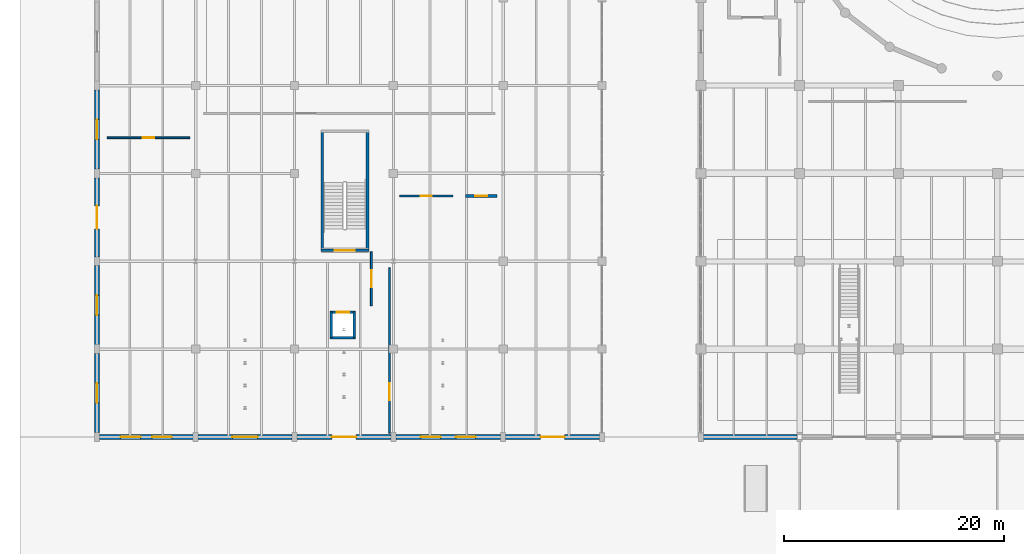
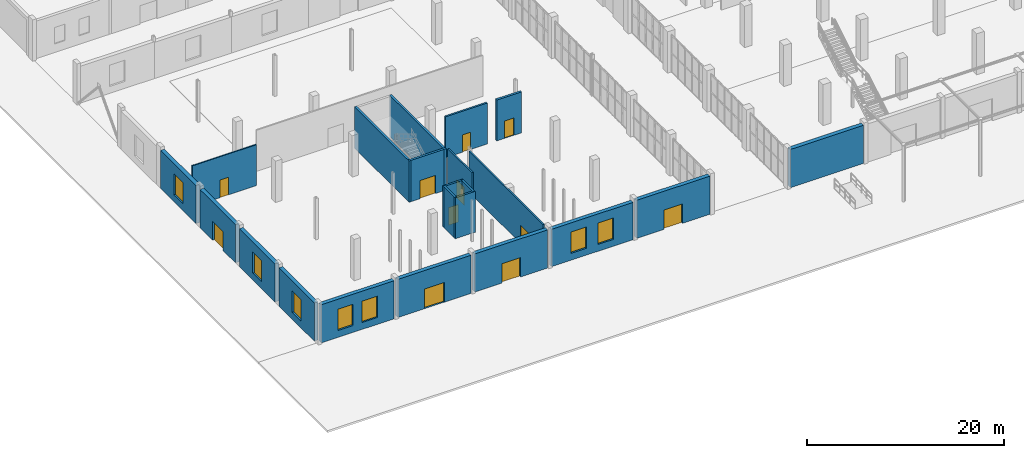
# One storey, part 81 of 103: 22 walls, 11 doors, 7 windows, 18 openings.
"""IFC4 building model written with IfcOpenShell, lengths in metres."""

from ifc_helpers import new_model, si_unit, direction, frame, frame_2d, origin, place, context, subcontext, project, spatial, rectangle, extrude, material, layer, layer_set, type_object, element, fill, save


model = new_model("IFC4")

# Units and contexts
model_context = context("Model", 3, precision=1e-05, world=origin(), true_north=direction((0.0, 1.0)))
body_context = subcontext(model_context, "Body", "Model", "MODEL_VIEW")
ifc_project = project(units=[si_unit("LENGTHUNIT", "METRE"), si_unit("AREAUNIT", "SQUARE_METRE"), si_unit("VOLUMEUNIT", "CUBIC_METRE"), si_unit("PLANEANGLEUNIT", "RADIAN"), si_unit("MASSUNIT", "GRAM", prefix="KILO")], contexts=[model_context])

# Site, building, storey
site_placement = place(None, origin())
site = spatial("IfcSite", under=ifc_project, at=site_placement, CompositionType="ELEMENT")
building_placement = place(site_placement, origin())
building = spatial("IfcBuilding", under=site, at=building_placement, Name="Marnock Terrace Opera House", CompositionType="ELEMENT")
storey_placement = place(building_placement, origin())
storey = spatial("IfcBuildingStorey", under=building, at=storey_placement, Name="L00", CompositionType="ELEMENT", Elevation=0.0)

# Wall, openings, windows
ifc_material_1 = material(Name="Carey Gully rusticated stone masonry", Category="masonry")
ifc_layer_1 = layer(ifc_material_1, 0.455078125)
ifc_layer_set_1 = layer_set([ifc_layer_1], Name="Carey Gully rusticated stone masonry")
wall_type_1 = type_object("IfcWallType", Name="EW-BASE-455", PredefinedType="SOLIDWALL", material=ifc_layer_set_1)
wall_1_placement = place(storey_placement, frame((0.220947265625, 8.0, 0.0), z_axis=(0.0, 0.0, 1.0), x_axis=(1.0, 0.0, 0.0)))
wall_1 = element("IfcWall", 1, at=wall_1_placement, inside=storey, type_object=wall_type_1, Name="L00 Volume 3 south sandstone wall 1", PredefinedType="SOLIDWALL", context=body_context, shape_type="SweptSolid", body=[
    extrude(rectangle(XDim=8.55810546875, YDim=0.455078125, at=frame_2d((4.279052734375, 0.0))), origin(), (0.0, 0.0, 1.0), 4.7314453125),
])
opening_1_placement = place(wall_1_placement, frame((1.95263671875, 0.0, 0.85009765625)))
opening_1 = element("IfcOpeningElement", 2, at=opening_1_placement, cuts=wall_1, Name="Opening WT-30", PredefinedType="OPENING", context=body_context, shape_type="SweptSolid", body=[
    extrude(rectangle(XDim=1.800048828125, YDim=2.64990234375, at=frame_2d((0.89990234375, 1.324951171875))), frame((0.0, 0.237548828125, 0.0), z_axis=(0.0, -1.0, 0.0), x_axis=(1.0, 0.0, 0.0)), (0.0, 0.0, 1.0), 0.47509765625),
])
opening_2_placement = place(wall_1_placement, frame((4.805419921875, 0.0, 0.85009765625)))
opening_2 = element("IfcOpeningElement", 3, at=opening_2_placement, cuts=wall_1, Name="Opening WT-30", PredefinedType="OPENING", context=body_context, shape_type="SweptSolid", body=[
    extrude(rectangle(XDim=1.800048828125, YDim=2.64990234375, at=frame_2d((0.89990234375, 1.324951171875))), frame((0.0, 0.237548828125, 0.0), z_axis=(0.0, -1.0, 0.0), x_axis=(1.0, 0.0, 0.0)), (0.0, 0.0, 1.0), 0.47509765625),
])
ifc_material_2 = material(Name="Double-glazed acoustic low-E laminated glass", Category="glass")
window_type = type_object("IfcWindowType", Name="WT-PIER-1800", PartitioningType="DOUBLE_PANEL_VERTICAL", PredefinedType="WINDOW", material=ifc_material_2)
window_1_placement = place(opening_1_placement, origin())
window_1 = element("IfcWindow", 4, at=window_1_placement, inside=storey, type_object=window_type, Name="L00 facade window EW-V3S-L00-1.1", OverallHeight=2.64990234375, OverallWidth=1.800048828125, PartitioningType="SINGLE_PANEL", PredefinedType="WINDOW", context=body_context, shape_type="SweptSolid", body=[
    extrude(rectangle(XDim=1.800048828125, YDim=2.64990234375, at=frame_2d((0.89990234375, 1.324951171875))), frame((0.0, 0.030029296875, 0.0), z_axis=(0.0, -1.0, 0.0), x_axis=(1.0, 0.0, 0.0)), (0.0, 0.0, 1.0), 0.06005859375),
])
fill(opening_1, window_1)
window_2_placement = place(opening_2_placement, origin())
window_2 = element("IfcWindow", 5, at=window_2_placement, inside=storey, type_object=window_type, Name="L00 facade window EW-V3S-L00-1.2", OverallHeight=2.64990234375, OverallWidth=1.800048828125, PartitioningType="SINGLE_PANEL", PredefinedType="WINDOW", context=body_context, shape_type="SweptSolid", body=[
    extrude(rectangle(XDim=1.800048828125, YDim=2.64990234375, at=frame_2d((0.89990234375, 1.324951171875))), frame((0.0, 0.030029296875, 0.0), z_axis=(0.0, -1.0, 0.0), x_axis=(1.0, 0.0, 0.0)), (0.0, 0.0, 1.0), 0.06005859375),
])
fill(opening_2, window_2)

# Wall, opening, door
wall_2_placement = place(storey_placement, frame((17.779052734375, 8.0, 0.0), z_axis=(0.0, 0.0, 1.0), x_axis=(-1.0, 0.0, 0.0)))
wall_2 = element("IfcWall", 6, at=wall_2_placement, inside=storey, type_object=wall_type_1, Name="L00 Volume 3 south sandstone wall 2", PredefinedType="SOLIDWALL", context=body_context, shape_type="SweptSolid", body=[
    extrude(rectangle(XDim=8.55810546875, YDim=0.455078125, at=frame_2d((4.279052734375, 0.0))), origin(), (0.0, 0.0, 1.0), 4.7314453125),
])
opening_3_placement = place(wall_2_placement, frame((3.12890625, 0.0, 0.0)))
opening_3 = element("IfcOpeningElement", 7, at=opening_3_placement, cuts=wall_2, Name="Opening ED-05", PredefinedType="OPENING", context=body_context, shape_type="SweptSolid", body=[
    extrude(rectangle(XDim=2.300048828125, YDim=2.449951171875, at=frame_2d((1.14990234375, 1.22509765625))), frame((0.0, 0.237548828125, 0.0), z_axis=(0.0, -1.0, 0.0), x_axis=(1.0, 0.0, 0.0)), (0.0, 0.0, 1.0), 0.47509765625),
])
ifc_material_3 = material(Name="Anodised architectural bronze aluminium framing", Category="aluminium")
door_type_1 = type_object("IfcDoorType", Name="DT-EXIT-2300", OperationType="NOTDEFINED", PredefinedType="DOOR", material=ifc_material_3)
door_1_placement = place(opening_3_placement, origin())
door_1 = element("IfcDoor", 8, at=door_1_placement, inside=storey, type_object=door_type_1, Name="Exterior door ED-05", OperationType="DOUBLE_DOOR_SINGLE_SWING", OverallHeight=2.449951171875, OverallWidth=2.300048828125, PredefinedType="DOOR", context=body_context, shape_type="SweptSolid", body=[
    extrude(rectangle(XDim=2.300048828125, YDim=2.449951171875, at=frame_2d((1.14990234375, 1.22509765625))), frame((0.0, 0.02490234375, 0.0), z_axis=(0.0, -1.0, 0.0), x_axis=(1.0, 0.0, 0.0)), (0.0, 0.0, 1.0), 0.050048828125),
])
fill(opening_3, door_1)

wall_3_placement = place(storey_placement, frame((26.779052734375, 8.0, 0.0), z_axis=(0.0, 0.0, 1.0), x_axis=(-1.0, 0.0, 0.0)))
wall_3 = element("IfcWall", 9, at=wall_3_placement, inside=storey, type_object=wall_type_1, Name="L00 Volume 3 south sandstone wall 3", PredefinedType="SOLIDWALL", context=body_context, shape_type="SweptSolid", body=[
    extrude(rectangle(XDim=8.55810546875, YDim=0.455078125, at=frame_2d((4.279052734375, 0.0))), origin(), (0.0, 0.0, 1.0), 4.7314453125),
])
opening_4_placement = place(wall_3_placement, frame((3.178955078125, 0.0, 0.0)))
opening_4 = element("IfcOpeningElement", 10, at=opening_4_placement, cuts=wall_3, Name="Opening ED-19", PredefinedType="OPENING", context=body_context, shape_type="SweptSolid", body=[
    extrude(rectangle(XDim=2.199951171875, YDim=2.39990234375, at=frame_2d((1.10009765625, 1.199951171875))), frame((0.0, 0.237548828125, 0.0), z_axis=(0.0, -1.0, 0.0), x_axis=(1.0, 0.0, 0.0)), (0.0, 0.0, 1.0), 0.47509765625),
])
door_type_2 = type_object("IfcDoorType", Name="DT-EXIT-2200", OperationType="NOTDEFINED", PredefinedType="DOOR", material=ifc_material_3)
door_2_placement = place(opening_4_placement, origin())
door_2 = element("IfcDoor", 11, at=door_2_placement, inside=storey, type_object=door_type_2, Name="Exterior door ED-19", OperationType="DOUBLE_DOOR_SINGLE_SWING", OverallHeight=2.39990234375, OverallWidth=2.199951171875, PredefinedType="DOOR", context=body_context, shape_type="SweptSolid", body=[
    extrude(rectangle(XDim=2.199951171875, YDim=2.39990234375, at=frame_2d((1.10009765625, 1.199951171875))), frame((0.0, 0.02490234375, 0.0), z_axis=(0.0, -1.0, 0.0), x_axis=(1.0, 0.0, 0.0)), (0.0, 0.0, 1.0), 0.050048828125),
])
fill(opening_4, door_2)

# Wall, openings, windows
wall_4_placement = place(storey_placement, frame((27.220947265625, 8.0, 0.0), z_axis=(0.0, 0.0, 1.0), x_axis=(1.0, 0.0, 0.0)))
wall_4 = element("IfcWall", 12, at=wall_4_placement, inside=storey, type_object=wall_type_1, Name="L00 Volume 3 south sandstone wall 4", PredefinedType="SOLIDWALL", context=body_context, shape_type="SweptSolid", body=[
    extrude(rectangle(XDim=9.55810546875, YDim=0.455078125, at=frame_2d((4.779052734375, 0.0))), origin(), (0.0, 0.0, 1.0), 4.629638671875),
])
opening_5_placement = place(wall_4_placement, frame((2.285888671875, 0.0, 0.85009765625)))
opening_5 = element("IfcOpeningElement", 13, at=opening_5_placement, cuts=wall_4, Name="Opening WT-30", PredefinedType="OPENING", context=body_context, shape_type="SweptSolid", body=[
    extrude(rectangle(XDim=1.800048828125, YDim=2.64990234375, at=frame_2d((0.89990234375, 1.324951171875))), frame((0.0, 0.237548828125, 0.0), z_axis=(0.0, -1.0, 0.0), x_axis=(1.0, 0.0, 0.0)), (0.0, 0.0, 1.0), 0.47509765625),
])
opening_6_placement = place(wall_4_placement, frame((5.471923828125, 0.0, 0.85009765625)))
opening_6 = element("IfcOpeningElement", 14, at=opening_6_placement, cuts=wall_4, Name="Opening WT-30", PredefinedType="OPENING", context=body_context, shape_type="SweptSolid", body=[
    extrude(rectangle(XDim=1.800048828125, YDim=2.64990234375, at=frame_2d((0.89990234375, 1.324951171875))), frame((0.0, 0.237548828125, 0.0), z_axis=(0.0, -1.0, 0.0), x_axis=(1.0, 0.0, 0.0)), (0.0, 0.0, 1.0), 0.47509765625),
])
window_3_placement = place(opening_5_placement, origin())
window_3 = element("IfcWindow", 15, at=window_3_placement, inside=storey, type_object=window_type, Name="L00 facade window EW-V3S-L00-4.1", OverallHeight=2.64990234375, OverallWidth=1.800048828125, PartitioningType="SINGLE_PANEL", PredefinedType="WINDOW", context=body_context, shape_type="SweptSolid", body=[
    extrude(rectangle(XDim=1.800048828125, YDim=2.64990234375, at=frame_2d((0.89990234375, 1.324951171875))), frame((0.0, 0.030029296875, 0.0), z_axis=(0.0, -1.0, 0.0), x_axis=(1.0, 0.0, 0.0)), (0.0, 0.0, 1.0), 0.06005859375),
])
fill(opening_5, window_3)
window_4_placement = place(opening_6_placement, origin())
window_4 = element("IfcWindow", 16, at=window_4_placement, inside=storey, type_object=window_type, Name="L00 facade window EW-V3S-L00-4.2", OverallHeight=2.64990234375, OverallWidth=1.800048828125, PartitioningType="SINGLE_PANEL", PredefinedType="WINDOW", context=body_context, shape_type="SweptSolid", body=[
    extrude(rectangle(XDim=1.800048828125, YDim=2.64990234375, at=frame_2d((0.89990234375, 1.324951171875))), frame((0.0, 0.030029296875, 0.0), z_axis=(0.0, -1.0, 0.0), x_axis=(1.0, 0.0, 0.0)), (0.0, 0.0, 1.0), 0.06005859375),
])
fill(opening_6, window_4)

# Wall, opening, door
wall_5_placement = place(storey_placement, frame((45.779052734375, 8.0, 0.0), z_axis=(0.0, 0.0, 1.0), x_axis=(-1.0, 0.0, 0.0)))
wall_5 = element("IfcWall", 17, at=wall_5_placement, inside=storey, type_object=wall_type_1, Name="L00 Volume 3 south sandstone wall 5", PredefinedType="SOLIDWALL", context=body_context, shape_type="SweptSolid", body=[
    extrude(rectangle(XDim=8.55810546875, YDim=0.455078125, at=frame_2d((4.279052734375, 0.0))), origin(), (0.0, 0.0, 1.0), 4.7314453125),
])
opening_7_placement = place(wall_5_placement, frame((3.178955078125, 0.0, 0.0)))
opening_7 = element("IfcOpeningElement", 18, at=opening_7_placement, cuts=wall_5, Name="Opening ED-06", PredefinedType="OPENING", context=body_context, shape_type="SweptSolid", body=[
    extrude(rectangle(XDim=2.199951171875, YDim=2.39990234375, at=frame_2d((1.10009765625, 1.199951171875))), frame((0.0, 0.237548828125, 0.0), z_axis=(0.0, -1.0, 0.0), x_axis=(1.0, 0.0, 0.0)), (0.0, 0.0, 1.0), 0.47509765625),
])
door_3_placement = place(opening_7_placement, origin())
door_3 = element("IfcDoor", 19, at=door_3_placement, inside=storey, type_object=door_type_2, Name="Exterior door ED-06", OperationType="DOUBLE_DOOR_SINGLE_SWING", OverallHeight=2.39990234375, OverallWidth=2.199951171875, PredefinedType="DOOR", context=body_context, shape_type="SweptSolid", body=[
    extrude(rectangle(XDim=2.199951171875, YDim=2.39990234375, at=frame_2d((1.10009765625, 1.199951171875))), frame((0.0, 0.02490234375, 0.0), z_axis=(0.0, -1.0, 0.0), x_axis=(1.0, 0.0, 0.0)), (0.0, 0.0, 1.0), 0.050048828125),
])
fill(opening_7, door_3)

# Wall, opening, window
wall_6_placement = place(storey_placement, frame((0.0, 8.39599609375, 0.0), z_axis=(0.0, 0.0, 1.0), x_axis=(0.0, 1.0, 0.0)))
wall_6 = element("IfcWall", 20, at=wall_6_placement, inside=storey, type_object=wall_type_1, Name="L00 Volume 3 west sandstone wall 1", PredefinedType="SOLIDWALL", context=body_context, shape_type="SweptSolid", body=[
    extrude(rectangle(XDim=7.2080078125, YDim=0.455078125, at=frame_2d((3.60400390625, 0.0))), origin(), (0.0, 0.0, 1.0), 4.7314453125),
])
opening_8_placement = place(wall_6_placement, frame((2.7041015625, 0.0, 0.85009765625)))
opening_8 = element("IfcOpeningElement", 21, at=opening_8_placement, cuts=wall_6, Name="Opening WT-30", PredefinedType="OPENING", context=body_context, shape_type="SweptSolid", body=[
    extrude(rectangle(XDim=1.800048828125, YDim=2.64990234375, at=frame_2d((0.89990234375, 1.324951171875))), frame((0.0, 0.237548828125, 0.0), z_axis=(0.0, -1.0, 0.0), x_axis=(1.0, 0.0, 0.0)), (0.0, 0.0, 1.0), 0.47509765625),
])
window_5_placement = place(opening_8_placement, origin())
window_5 = element("IfcWindow", 22, at=window_5_placement, inside=storey, type_object=window_type, Name="L00 facade window EW-V3W-L00-1.1", OverallHeight=2.64990234375, OverallWidth=1.800048828125, PartitioningType="SINGLE_PANEL", PredefinedType="WINDOW", context=body_context, shape_type="SweptSolid", body=[
    extrude(rectangle(XDim=1.800048828125, YDim=2.64990234375, at=frame_2d((0.89990234375, 1.324951171875))), frame((0.0, 0.030029296875, 0.0), z_axis=(0.0, -1.0, 0.0), x_axis=(1.0, 0.0, 0.0)), (0.0, 0.0, 1.0), 0.06005859375),
])
fill(opening_8, window_5)

wall_7_placement = place(storey_placement, frame((0.0, 16.39599609375, 0.0), z_axis=(0.0, 0.0, 1.0), x_axis=(0.0, 1.0, 0.0)))
wall_7 = element("IfcWall", 23, at=wall_7_placement, inside=storey, type_object=wall_type_1, Name="L00 Volume 3 west sandstone wall 2", PredefinedType="SOLIDWALL", context=body_context, shape_type="SweptSolid", body=[
    extrude(rectangle(XDim=7.2080078125, YDim=0.455078125, at=frame_2d((3.60400390625, 0.0))), origin(), (0.0, 0.0, 1.0), 4.7314453125),
])
opening_9_placement = place(wall_7_placement, frame((2.7041015625, 0.0, 0.85009765625)))
opening_9 = element("IfcOpeningElement", 24, at=opening_9_placement, cuts=wall_7, Name="Opening WT-30", PredefinedType="OPENING", context=body_context, shape_type="SweptSolid", body=[
    extrude(rectangle(XDim=1.800048828125, YDim=2.64990234375, at=frame_2d((0.89990234375, 1.324951171875))), frame((0.0, 0.237548828125, 0.0), z_axis=(0.0, -1.0, 0.0), x_axis=(1.0, 0.0, 0.0)), (0.0, 0.0, 1.0), 0.47509765625),
])
window_6_placement = place(opening_9_placement, origin())
window_6 = element("IfcWindow", 25, at=window_6_placement, inside=storey, type_object=window_type, Name="L00 facade window EW-V3W-L00-2.1", OverallHeight=2.64990234375, OverallWidth=1.800048828125, PartitioningType="SINGLE_PANEL", PredefinedType="WINDOW", context=body_context, shape_type="SweptSolid", body=[
    extrude(rectangle(XDim=1.800048828125, YDim=2.64990234375, at=frame_2d((0.89990234375, 1.324951171875))), frame((0.0, 0.030029296875, 0.0), z_axis=(0.0, -1.0, 0.0), x_axis=(1.0, 0.0, 0.0)), (0.0, 0.0, 1.0), 0.06005859375),
])
fill(opening_9, window_6)

# Wall, opening, door
wall_8_placement = place(storey_placement, frame((0.0, 24.39599609375, 0.0), z_axis=(0.0, 0.0, 1.0), x_axis=(0.0, 1.0, 0.0)))
wall_8 = element("IfcWall", 26, at=wall_8_placement, inside=storey, type_object=wall_type_1, Name="L00 Volume 3 west sandstone wall 3", PredefinedType="SOLIDWALL", context=body_context, shape_type="SweptSolid", body=[
    extrude(rectangle(XDim=7.2080078125, YDim=0.455078125, at=frame_2d((3.60400390625, 0.0))), origin(), (0.0, 0.0, 1.0), 4.7314453125),
])
opening_10_placement = place(wall_8_placement, frame((2.553955078125, 0.0, 0.0)))
opening_10 = element("IfcOpeningElement", 27, at=opening_10_placement, cuts=wall_8, Name="Opening ED-07", PredefinedType="OPENING", context=body_context, shape_type="SweptSolid", body=[
    extrude(rectangle(XDim=2.10009765625, YDim=2.35009765625, at=frame_2d((1.050048828125, 1.175048828125))), frame((0.0, 0.237548828125, 0.0), z_axis=(0.0, -1.0, 0.0), x_axis=(1.0, 0.0, 0.0)), (0.0, 0.0, 1.0), 0.47509765625),
])
door_type_3 = type_object("IfcDoorType", Name="DT-EXIT-2100", OperationType="NOTDEFINED", PredefinedType="DOOR", material=ifc_material_3)
door_4_placement = place(opening_10_placement, origin())
door_4 = element("IfcDoor", 28, at=door_4_placement, inside=storey, type_object=door_type_3, Name="Exterior door ED-07", OperationType="DOUBLE_DOOR_SINGLE_SWING", OverallHeight=2.35009765625, OverallWidth=2.10009765625, PredefinedType="DOOR", context=body_context, shape_type="SweptSolid", body=[
    extrude(rectangle(XDim=2.10009765625, YDim=2.35009765625, at=frame_2d((1.050048828125, 1.175048828125))), frame((0.0, 0.02490234375, 0.0), z_axis=(0.0, -1.0, 0.0), x_axis=(1.0, 0.0, 0.0)), (0.0, 0.0, 1.0), 0.050048828125),
])
fill(opening_10, door_4)

# Wall, opening, window
wall_9_placement = place(storey_placement, frame((0.0, 32.39599609375, 0.0), z_axis=(0.0, 0.0, 1.0), x_axis=(0.0, 1.0, 0.0)))
wall_9 = element("IfcWall", 29, at=wall_9_placement, inside=storey, type_object=wall_type_1, Name="L00 Volume 3 west sandstone wall 4", PredefinedType="SOLIDWALL", context=body_context, shape_type="SweptSolid", body=[
    extrude(rectangle(XDim=7.2080078125, YDim=0.455078125, at=frame_2d((3.60400390625, 0.0))), origin(), (0.0, 0.0, 1.0), 4.7314453125),
])
opening_11_placement = place(wall_9_placement, frame((2.7041015625, 0.0, 0.85009765625)))
opening_11 = element("IfcOpeningElement", 30, at=opening_11_placement, cuts=wall_9, Name="Opening WT-30", PredefinedType="OPENING", context=body_context, shape_type="SweptSolid", body=[
    extrude(rectangle(XDim=1.800048828125, YDim=2.64990234375, at=frame_2d((0.89990234375, 1.324951171875))), frame((0.0, 0.237548828125, 0.0), z_axis=(0.0, -1.0, 0.0), x_axis=(1.0, 0.0, 0.0)), (0.0, 0.0, 1.0), 0.47509765625),
])
window_7_placement = place(opening_11_placement, origin())
window_7 = element("IfcWindow", 31, at=window_7_placement, inside=storey, type_object=window_type, Name="L00 facade window EW-V3W-L00-4.1", OverallHeight=2.64990234375, OverallWidth=1.800048828125, PartitioningType="SINGLE_PANEL", PredefinedType="WINDOW", context=body_context, shape_type="SweptSolid", body=[
    extrude(rectangle(XDim=1.800048828125, YDim=2.64990234375, at=frame_2d((0.89990234375, 1.324951171875))), frame((0.0, 0.030029296875, 0.0), z_axis=(0.0, -1.0, 0.0), x_axis=(1.0, 0.0, 0.0)), (0.0, 0.0, 1.0), 0.06005859375),
])
fill(opening_11, window_7)

# Wall
ifc_layer_2 = layer(ifc_material_1, 0.47998046875)
ifc_layer_set_2 = layer_set([ifc_layer_2], Name="Carey Gully rusticated stone masonry")
wall_type_2 = type_object("IfcWallType", Name="EW-BASE-480", PredefinedType="SOLIDWALL", material=ifc_layer_set_2)
wall_10_placement = place(storey_placement, frame((55.220947265625, 8.0, 0.0), z_axis=(0.0, 0.0, 1.0), x_axis=(1.0, 0.0, 0.0)))
element("IfcWall", 32, at=wall_10_placement, inside=storey, type_object=wall_type_2, Name="L00 Grand Hall south sandstone arcade bay 1", PredefinedType="SOLIDWALL", context=body_context, shape_type="SweptSolid", body=[
    extrude(rectangle(XDim=8.55810546875, YDim=0.47998046875, at=frame_2d((4.279052734375, 0.0))), origin(), (0.0, 0.0, 1.0), 4.7314453125),
])

# Wall, opening, door
ifc_material_4 = material(Name="Rendered acoustic concrete blockwork", Category="masonry")
ifc_layer_3 = layer(ifc_material_4, 0.175048828125)
ifc_layer_set_3 = layer_set([ifc_layer_3], Name="Rendered acoustic concrete blockwork")
wall_type_3 = type_object("IfcWallType", Name="IW-FIRE-175", PredefinedType="PARTITIONING", material=ifc_layer_set_3)
wall_11_placement = place(storey_placement, frame((25.0, 19.949951171875, 0.0), z_axis=(0.0, 0.0, 1.0), x_axis=(0.0, 1.0, 0.0)))
wall_11 = element("IfcWall", 33, at=wall_11_placement, inside=storey, type_object=wall_type_3, Name="L00 C5 fire-rated lift and stair lobby wall", PredefinedType="PARTITIONING", context=body_context, shape_type="SweptSolid", body=[
    extrude(rectangle(XDim=4.900146484375, YDim=0.175048828125, at=frame_2d((2.4501953125, 0.0))), origin(), (0.0, 0.0, 1.0), 5.070068359375),
])
opening_12_placement = place(wall_11_placement, frame((1.675048828125, 0.0, 0.0)))
opening_12 = element("IfcOpeningElement", 34, at=opening_12_placement, cuts=wall_11, Name="Opening FD-C5-L00", PredefinedType="OPENING", context=body_context, shape_type="SweptSolid", body=[
    extrude(rectangle(XDim=1.550048828125, YDim=2.219970703125, at=frame_2d((0.77490234375, 1.10986328125))), frame((0.0, 0.097412109375, 0.0), z_axis=(0.0, -1.0, 0.0), x_axis=(1.0, 0.0, 0.0)), (0.0, 0.0, 1.0), 0.195068359375),
])
ifc_material_5 = material(Name="Fire-rated acoustic timber-core door assembly", Category="wood")
door_type_4 = type_object("IfcDoorType", Name="DT-LOBBY-1550", OperationType="NOTDEFINED", PredefinedType="DOOR", material=ifc_material_5)
door_5_placement = place(opening_12_placement, origin())
door_5 = element("IfcDoor", 35, at=door_5_placement, inside=storey, type_object=door_type_4, Name="L00 C5 lobby self-closing smoke door", OperationType="SINGLE_SWING_RIGHT", OverallHeight=2.219970703125, OverallWidth=1.550048828125, PredefinedType="DOOR", context=body_context, shape_type="SweptSolid", body=[
    extrude(rectangle(XDim=1.550048828125, YDim=2.219970703125, at=frame_2d((0.77490234375, 1.10986328125))), frame((0.0, 0.02490234375, 0.0), z_axis=(0.0, -1.0, 0.0), x_axis=(1.0, 0.0, 0.0)), (0.0, 0.0, 1.0), 0.050048828125),
])
fill(opening_12, door_5)

wall_12_placement = place(storey_placement, frame((26.64990234375, 8.35009765625, 0.0), z_axis=(0.0, 0.0, 1.0), x_axis=(0.0, 1.0, 0.0)))
wall_12 = element("IfcWall", 36, at=wall_12_placement, inside=storey, type_object=wall_type_3, Name="L00 Protected exit passageway fire wall PW-EX-C5-E", PredefinedType="PARTITIONING", context=body_context, shape_type="SweptSolid", body=[
    extrude(rectangle(XDim=15.0498046875, YDim=0.175048828125, at=frame_2d((7.52490234375, 0.0))), origin(), (0.0, 0.0, 1.0), 5.080078125),
])
opening_13_placement = place(wall_12_placement, frame((3.0, 0.0, 0.0)))
opening_13 = element("IfcOpeningElement", 37, at=opening_13_placement, cuts=wall_12, Name="Opening PD-EX-C5", PredefinedType="OPENING", context=body_context, shape_type="SweptSolid", body=[
    extrude(rectangle(XDim=1.550048828125, YDim=2.219970703125, at=frame_2d((0.77490234375, 1.10986328125))), frame((0.0, 0.097412109375, 0.0), z_axis=(0.0, -1.0, 0.0), x_axis=(1.0, 0.0, 0.0)), (0.0, 0.0, 1.0), 0.195068359375),
])
door_6_placement = place(opening_13_placement, origin())
door_6 = element("IfcDoor", 38, at=door_6_placement, inside=storey, type_object=door_type_4, Name="L00 Protected exit passageway self-closing smoke door PD-EX-C5", OperationType="SINGLE_SWING_RIGHT", OverallHeight=2.219970703125, OverallWidth=1.550048828125, PredefinedType="DOOR", context=body_context, shape_type="SweptSolid", body=[
    extrude(rectangle(XDim=1.550048828125, YDim=2.219970703125, at=frame_2d((0.77490234375, 1.10986328125))), frame((0.0, 0.02490234375, 0.0), z_axis=(0.0, -1.0, 0.0), x_axis=(1.0, 0.0, 0.0)), (0.0, 0.0, 1.0), 0.050048828125),
])
fill(opening_13, door_6)

ifc_material_6 = material(Name="Double-stud acoustic plasterboard with mineral-wool infill")
ifc_layer_4 = layer(ifc_material_6, 0.137939453125)
ifc_layer_set_4 = layer_set([ifc_layer_4], Name="Double-stud acoustic plasterboard with mineral-wool infill")
wall_type_4 = type_object("IfcWallType", Name="IW-PART-138", PredefinedType="PARTITIONING", material=ifc_layer_set_4)
wall_13_placement = place(storey_placement, frame((0.949951171875, 35.25, 0.0), z_axis=(0.0, 0.0, 1.0), x_axis=(1.0, 0.0, 0.0)))
wall_13 = element("IfcWall", 39, at=wall_13_placement, inside=storey, type_object=wall_type_4, Name="L00 Chamber Green Room acoustic partition wall", PredefinedType="PARTITIONING", context=body_context, shape_type="SweptSolid", body=[
    extrude(rectangle(XDim=7.5, YDim=0.137939453125, at=frame_2d((3.75, 0.0))), origin(), (0.0, 0.0, 1.0), 5.070068359375),
])
opening_14_placement = place(wall_13_placement, frame((3.239990234375, 0.0, 0.0)))
opening_14 = element("IfcOpeningElement", 40, at=opening_14_placement, cuts=wall_13, Name="Opening D-L00-17", PredefinedType="OPENING", context=body_context, shape_type="SweptSolid", body=[
    extrude(rectangle(XDim=1.02001953125, YDim=2.179931640625, at=frame_2d((0.510009765625, 1.08984375))), frame((0.0, 0.078857421875, 0.0), z_axis=(0.0, -1.0, 0.0), x_axis=(1.0, 0.0, 0.0)), (0.0, 0.0, 1.0), 0.157958984375),
])
ifc_material_7 = material(Name="Solid-core Tasmanian oak acoustic door leaf")
door_type_5 = type_object("IfcDoorType", Name="DT-SUITE-1020", OperationType="NOTDEFINED", PredefinedType="DOOR", material=ifc_material_7)
door_7_placement = place(opening_14_placement, origin())
door_7 = element("IfcDoor", 41, at=door_7_placement, inside=storey, type_object=door_type_5, Name="L00 Chamber Green Room entrance door", OperationType="SINGLE_SWING_RIGHT", OverallHeight=2.179931640625, OverallWidth=1.02001953125, PredefinedType="DOOR", context=body_context, shape_type="SweptSolid", body=[
    extrude(rectangle(XDim=1.02001953125, YDim=2.179931640625, at=frame_2d((0.510009765625, 1.08984375))), frame((0.0, 0.02490234375, 0.0), z_axis=(0.0, -1.0, 0.0), x_axis=(1.0, 0.0, 0.0)), (0.0, 0.0, 1.0), 0.050048828125),
])
fill(opening_14, door_7)

ifc_material_8 = material(Name="Moisture-resistant tiled service duct framing")
ifc_layer_5 = layer(ifc_material_8, 0.205078125)
ifc_layer_set_5 = layer_set([ifc_layer_5], Name="Moisture-resistant tiled service duct framing")
wall_type_5 = type_object("IfcWallType", Name="IW-PLUMB-205", PredefinedType="PLUMBINGWALL", material=ifc_layer_set_5)
wall_14_placement = place(storey_placement, frame((27.550048828125, 29.949951171875, 0.0), z_axis=(0.0, 0.0, 1.0), x_axis=(1.0, 0.0, 0.0)))
wall_14 = element("IfcWall", 42, at=wall_14_placement, inside=storey, type_object=wall_type_5, Name="L00 Public WC L00 West acoustic partition wall", PredefinedType="PLUMBINGWALL", context=body_context, shape_type="SweptSolid", body=[
    extrude(rectangle(XDim=4.89990234375, YDim=0.205078125, at=frame_2d((2.449951171875, 0.0))), origin(), (0.0, 0.0, 1.0), 5.070068359375),
])
opening_15_placement = place(wall_14_placement, frame((1.9599609375, 0.0, 0.0)))
opening_15 = element("IfcOpeningElement", 43, at=opening_15_placement, cuts=wall_14, Name="Opening D-L00-32", PredefinedType="OPENING", context=body_context, shape_type="SweptSolid", body=[
    extrude(rectangle(XDim=0.97998046875, YDim=2.139892578125, at=frame_2d((0.489990234375, 1.06982421875))), frame((0.0, 0.112548828125, 0.0), z_axis=(0.0, -1.0, 0.0), x_axis=(1.0, 0.0, 0.0)), (0.0, 0.0, 1.0), 0.22509765625),
])
door_type_6 = type_object("IfcDoorType", Name="DT-WC-980", OperationType="NOTDEFINED", PredefinedType="DOOR", material=ifc_material_7)
door_8_placement = place(opening_15_placement, origin())
door_8 = element("IfcDoor", 44, at=door_8_placement, inside=storey, type_object=door_type_6, Name="L00 Public WC L00 West entrance door", OperationType="SINGLE_SWING_RIGHT", OverallHeight=2.139892578125, OverallWidth=0.97998046875, PredefinedType="DOOR", context=body_context, shape_type="SweptSolid", body=[
    extrude(rectangle(XDim=0.97998046875, YDim=2.139892578125, at=frame_2d((0.489990234375, 1.06982421875))), frame((0.0, 0.02490234375, 0.0), z_axis=(0.0, -1.0, 0.0), x_axis=(1.0, 0.0, 0.0)), (0.0, 0.0, 1.0), 0.050048828125),
])
fill(opening_15, door_8)

ifc_layer_6 = layer(ifc_material_8, 0.264892578125)
ifc_layer_set_6 = layer_set([ifc_layer_6], Name="Moisture-resistant tiled service duct framing")
wall_type_6 = type_object("IfcWallType", Name="IW-PLUMB-265", PredefinedType="PLUMBINGWALL", material=ifc_layer_set_6)
wall_15_placement = place(storey_placement, frame((33.550048828125, 29.949951171875, 0.0), z_axis=(0.0, 0.0, 1.0), x_axis=(1.0, 0.0, 0.0)))
wall_15 = element("IfcWall", 45, at=wall_15_placement, inside=storey, type_object=wall_type_6, Name="L00 Accessible WC L00 West acoustic partition wall", PredefinedType="PLUMBINGWALL", context=body_context, shape_type="SweptSolid", body=[
    extrude(rectangle(XDim=2.89990234375, YDim=0.264892578125, at=frame_2d((1.449951171875, 0.0))), origin(), (0.0, 0.0, 1.0), 5.070068359375),
])
opening_16_placement = place(wall_15_placement, frame((0.889892578125, 0.0, 0.0)))
opening_16 = element("IfcOpeningElement", 46, at=opening_16_placement, cuts=wall_15, Name="Opening D-L00-33", PredefinedType="OPENING", context=body_context, shape_type="SweptSolid", body=[
    extrude(rectangle(XDim=1.1201171875, YDim=2.159912109375, at=frame_2d((0.56005859375, 1.080078125))), frame((0.0, 0.142333984375, 0.0), z_axis=(0.0, -1.0, 0.0), x_axis=(1.0, 0.0, 0.0)), (0.0, 0.0, 1.0), 0.284912109375),
])
door_type_7 = type_object("IfcDoorType", Name="DT-ACCWC-1120", OperationType="NOTDEFINED", PredefinedType="DOOR", material=ifc_material_7)
door_9_placement = place(opening_16_placement, origin())
door_9 = element("IfcDoor", 47, at=door_9_placement, inside=storey, type_object=door_type_7, Name="L00 Accessible WC L00 West entrance door", OperationType="SINGLE_SWING_LEFT", OverallHeight=2.159912109375, OverallWidth=1.1201171875, PredefinedType="DOOR", context=body_context, shape_type="SweptSolid", body=[
    extrude(rectangle(XDim=1.1201171875, YDim=2.159912109375, at=frame_2d((0.56005859375, 1.080078125))), frame((0.0, 0.02490234375, 0.0), z_axis=(0.0, -1.0, 0.0), x_axis=(1.0, 0.0, 0.0)), (0.0, 0.0, 1.0), 0.050048828125),
])
fill(opening_16, door_9)

ifc_layer_7 = layer(ifc_material_4, 0.22509765625)
ifc_layer_set_7 = layer_set([ifc_layer_7], Name="Rendered acoustic concrete blockwork")
wall_type_7 = type_object("IfcWallType", Name="IW-SHAFT-225", PredefinedType="SOLIDWALL", material=ifc_layer_set_7)
wall_16_placement = place(storey_placement, frame((21.2275390625, 19.360107421875, 0.0), z_axis=(0.0, 0.0, 1.0), x_axis=(1.0, 0.0, 0.0)))
wall_16 = element("IfcWall", 48, at=wall_16_placement, inside=storey, type_object=wall_type_7, Name="L00 Lift PL-05 front shaft wall", PredefinedType="SOLIDWALL", context=body_context, shape_type="SweptSolid", body=[
    extrude(rectangle(XDim=2.344970703125, YDim=0.22509765625, at=frame_2d((1.17236328125, 0.0))), origin(), (0.0, 0.0, 1.0), 5.070068359375),
])
opening_17_placement = place(wall_16_placement, frame((0.597412109375, 0.0, 0.0)))
opening_17 = element("IfcOpeningElement", 49, at=opening_17_placement, cuts=wall_16, Name="Opening LD-PL-05-L00", PredefinedType="OPENING", context=body_context, shape_type="SweptSolid", body=[
    extrude(rectangle(XDim=1.14990234375, YDim=2.199951171875, at=frame_2d((0.574951171875, 1.10009765625))), frame((0.0, 0.12255859375, 0.0), z_axis=(0.0, -1.0, 0.0), x_axis=(1.0, 0.0, 0.0)), (0.0, 0.0, 1.0), 0.2451171875),
])
ifc_material_9 = material(Name="Brushed stainless steel landing door assembly", Category="steel")
door_type_8 = type_object("IfcDoorType", Name="DT-LIFT-1150", OperationType="NOTDEFINED", PredefinedType="DOOR", material=ifc_material_9)
door_10_placement = place(opening_17_placement, origin())
door_10 = element("IfcDoor", 50, at=door_10_placement, inside=storey, type_object=door_type_8, Name="L00 Lift PL-05 sliding landing door", OperationType="DOUBLE_DOOR_SLIDING", OverallHeight=2.199951171875, OverallWidth=1.14990234375, PredefinedType="DOOR", context=body_context, shape_type="SweptSolid", body=[
    extrude(rectangle(XDim=1.14990234375, YDim=2.199951171875, at=frame_2d((0.574951171875, 1.10009765625))), frame((0.0, 0.02490234375, 0.0), z_axis=(0.0, -1.0, 0.0), x_axis=(1.0, 0.0, 0.0)), (0.0, 0.0, 1.0), 0.050048828125),
])
fill(opening_17, door_10)

# Walls
wall_17_placement = place(storey_placement, frame((21.2275390625, 17.0400390625, 0.0), z_axis=(0.0, 0.0, 1.0), x_axis=(1.0, 0.0, 0.0)))
element("IfcWall", 51, at=wall_17_placement, inside=storey, type_object=wall_type_7, Name="L00 Lift PL-05 rear shaft wall", PredefinedType="SOLIDWALL", context=body_context, shape_type="SweptSolid", body=[
    extrude(rectangle(XDim=2.344970703125, YDim=0.22509765625, at=frame_2d((1.17236328125, 0.0))), origin(), (0.0, 0.0, 1.0), 5.070068359375),
])
for number, where, z_axis, x_axis, name in (
    (52, (21.340087890625, 17.0400390625, 0.0), (0.0, 0.0, 1.0), (0.0, 1.0, 0.0), "L00 Lift PL-05 west shaft wall"),
    (53, (23.4599609375, 17.0400390625, 0.0), (0.0, 0.0, 1.0), (0.0, 1.0, 0.0), "L00 Lift PL-05 east shaft wall"),
):
    element("IfcWall", number, at=place(storey_placement, frame(where, z_axis=z_axis, x_axis=x_axis)), inside=storey, type_object=wall_type_7, Name=name, PredefinedType="SOLIDWALL", context=body_context, shape_type="SweptSolid", body=[
        extrude(rectangle(XDim=2.320068359375, YDim=0.22509765625, at=frame_2d((1.16015625, 0.0))), origin(), (0.0, 0.0, 1.0), 5.070068359375),
    ])

# Wall, opening, door
ifc_material_10 = material(Name="Concrete N40 (f'c = 40 MPa)", Category="concrete")
ifc_layer_8 = layer(ifc_material_10, 0.25)
ifc_layer_set_8 = layer_set([ifc_layer_8], Name="Concrete N40 (f'c = 40 MPa)")
wall_type_8 = type_object("IfcWallType", Name="SW-CORE-250", PredefinedType="SHEAR", material=ifc_layer_set_8)
wall_18_placement = place(storey_placement, frame((20.39501953125, 25.0, 0.0), z_axis=(0.0, 0.0, 1.0), x_axis=(1.0, 0.0, 0.0)))
wall_18 = element("IfcWall", 54, at=wall_18_placement, inside=storey, type_object=wall_type_8, Name="L00 Core C5 FRL 120/120/120 shear wall S", PredefinedType="SHEAR", context=body_context, shape_type="SweptSolid", body=[
    extrude(rectangle(XDim=4.369873046875, YDim=0.25, at=frame_2d((2.18505859375, 0.0))), origin(), (0.0, 0.0, 1.0), 5.1201171875),
])
opening_18_placement = place(wall_18_placement, frame((1.260009765625, 0.0, 0.0)))
opening_18 = element("IfcOpeningElement", 55, at=opening_18_placement, cuts=wall_18, Name="Opening SD-C5-L00", PredefinedType="OPENING", context=body_context, shape_type="SweptSolid", body=[
    extrude(rectangle(XDim=1.85009765625, YDim=2.25, at=frame_2d((0.925048828125, 1.125))), frame((0.0, 0.135009765625, 0.0), z_axis=(0.0, -1.0, 0.0), x_axis=(1.0, 0.0, 0.0)), (0.0, 0.0, 1.0), 0.27001953125),
])
door_type_9 = type_object("IfcDoorType", Name="DT-STAIR-1850", OperationType="NOTDEFINED", PredefinedType="DOOR", material=ifc_material_5)
door_11_placement = place(opening_18_placement, origin())
door_11 = element("IfcDoor", 56, at=door_11_placement, inside=storey, type_object=door_type_9, Name="L00 Stair ST-05 fire-isolated exit door", OperationType="SINGLE_SWING_LEFT", OverallHeight=2.25, OverallWidth=1.85009765625, PredefinedType="DOOR", context=body_context, shape_type="SweptSolid", body=[
    extrude(rectangle(XDim=1.85009765625, YDim=2.25, at=frame_2d((0.925048828125, 1.125))), frame((0.0, 0.02490234375, 0.0), z_axis=(0.0, -1.0, 0.0), x_axis=(1.0, 0.0, 0.0)), (0.0, 0.0, 1.0), 0.050048828125),
])
fill(opening_18, door_11)

# Walls
for number, where, z_axis, x_axis, name in (
    (57, (20.52001953125, 24.875, 0.0), (0.0, 0.0, 1.0), (0.0, 1.0, 0.0), "L00 Core C5 FRL 120/120/120 shear wall W"),
    (58, (24.639892578125, 24.875, 0.0), (0.0, 0.0, 1.0), (0.0, 1.0, 0.0), "L00 Core C5 FRL 120/120/120 shear wall E"),
):
    element("IfcWall", number, at=place(storey_placement, frame(where, z_axis=z_axis, x_axis=x_axis)), inside=storey, type_object=wall_type_8, Name=name, PredefinedType="SHEAR", context=body_context, shape_type="SweptSolid", body=[
        extrude(rectangle(XDim=11.090087890625, YDim=0.25, at=frame_2d((5.544921875, 0.0))), origin(), (0.0, 0.0, 1.0), 5.1201171875),
    ])

save(model, "model.ifc")
